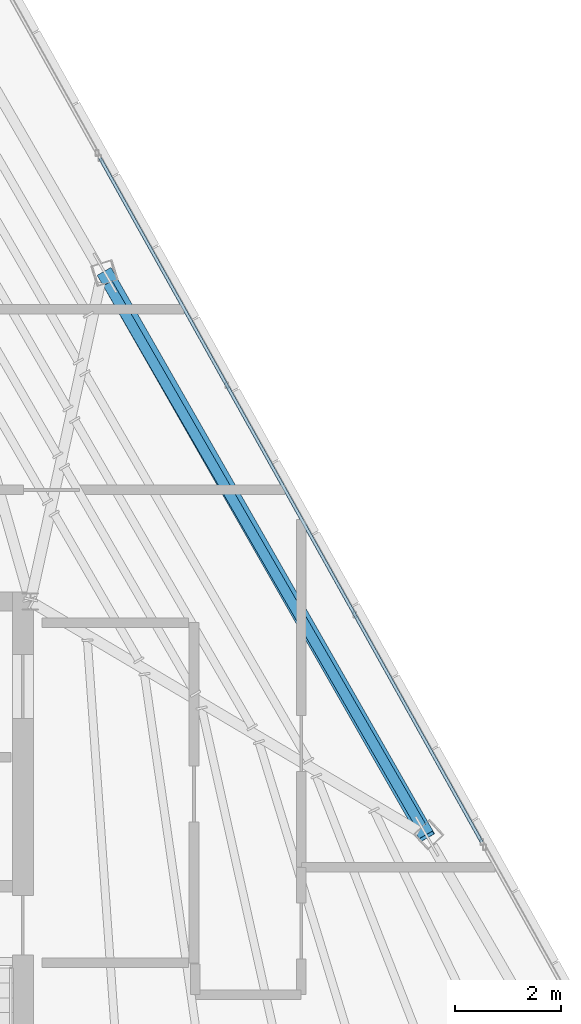
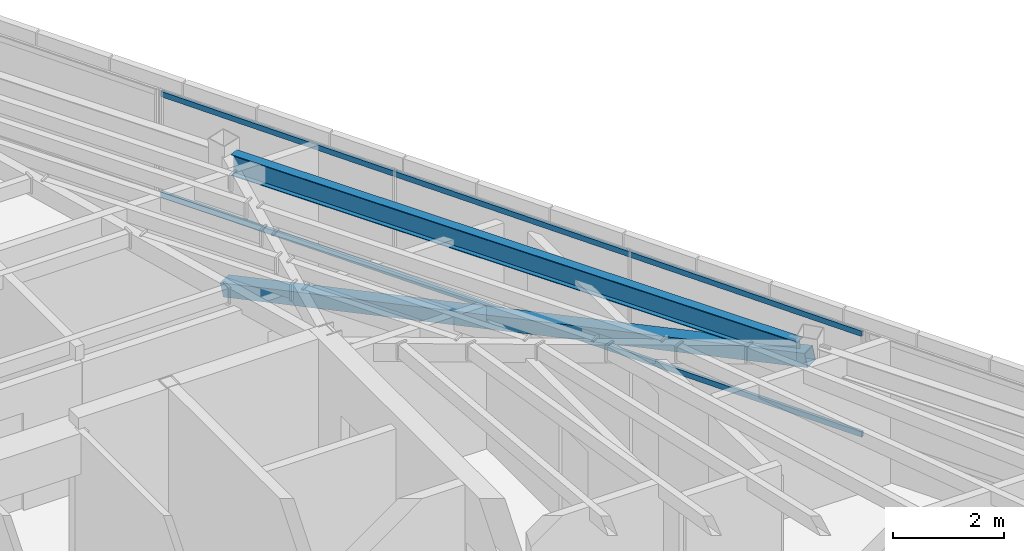
# One storey, part 29 of 48: 3 members, 1 beam, 1 element without a shape of its own.
"""IFC4 building model written with IfcOpenShell, lengths in metres."""

from ifc_helpers import new_model, si_unit, direction, frame, origin, origin_2d, place, context, subcontext, project, spatial, hollow_rectangle, i_section, extrude, source, transform, mapped, material, material_profile, profile_set, type_object, type_shapes, element, aggregate, save


model = new_model("IFC4")

# Units and contexts
model_context = context("Model", 3, precision=1e-05, world=origin(), true_north=direction((0.0, 1.0)))
body_context = subcontext(model_context, "Body", "Model", "MODEL_VIEW")
ifc_project = project(units=[si_unit("LENGTHUNIT", "METRE"), si_unit("AREAUNIT", "SQUARE_METRE"), si_unit("VOLUMEUNIT", "CUBIC_METRE"), si_unit("PLANEANGLEUNIT", "RADIAN"), si_unit("MASSUNIT", "GRAM", prefix="KILO")], contexts=[model_context])

# Site, building, storey
site_placement = place(None, origin())
site = spatial("IfcSite", under=ifc_project, at=site_placement, CompositionType="ELEMENT")
building_placement = place(site_placement, origin())
building = spatial("IfcBuilding", under=site, at=building_placement, Name="Caelisora Broadcast Tower", CompositionType="ELEMENT")
storey_placement = place(building_placement, frame((0.0, 0.0, 300.0)))
storey = spatial("IfcBuildingStorey", under=building, at=storey_placement, Name="L79", CompositionType="ELEMENT", Elevation=300.0)

# Beam
ifc_material_1 = material(Name="Steel Grade 350 (AS/NZS 3679.1)", Category="steel")
ifc_material_profile_1 = material_profile(ifc_material_1, i_section(OverallWidth=0.19091796875, OverallDepth=0.46044921875, WebThickness=0.010009765625, FlangeThickness=0.01611328125, at=origin_2d()), Name="Steel Grade 350 (AS/NZS 3679.1)")
ifc_profile_set_1 = profile_set([ifc_material_profile_1], Name="Steel Grade 350 (AS/NZS 3679.1)")
beam_type = type_object("IfcBeamType", Name="PG06", PredefinedType="BEAM", material=ifc_profile_set_1)
shared_shape_1 = source(origin(), body_context, "Body", "SweptSolid", [
    extrude(i_section(OverallWidth=0.19091796875, OverallDepth=0.46044921875, WebThickness=0.010009765625, FlangeThickness=0.01611328125, at=origin_2d()), origin(), (0.0, 0.0, 1.0), 11.809326171875),
])
type_shapes(beam_type, [shared_shape_1])
beam_placement = place(storey_placement, frame((52.860107421875, 25.76123046875, 2.919921875), z_axis=(-0.499987904007, 0.866032387297, 0.0), x_axis=(-0.866032387297, -0.499987904007, 0.0)))
element("IfcBeam", 1, at=beam_placement, inside=storey, type_object=beam_type, Name="L79 beam PG06", PredefinedType="BEAM", context=body_context, shape_type="MappedRepresentation", body=[
    mapped(shared_shape_1, transform((0.0, 0.0, 0.0), scale=1.0)),
])

# Member
ifc_material_2 = material(Name="Steel Grade 450 (AS/NZS 1163 C450L0)", Category="steel")
ifc_material_profile_2 = material_profile(ifc_material_2, hollow_rectangle(XDim=0.300048828125, YDim=0.300048828125, WallThickness=0.012451171875, at=origin_2d()), Name="Steel Grade 450 (AS/NZS 1163 C450L0)")
ifc_profile_set_2 = profile_set([ifc_material_profile_2], Name="Steel Grade 450 (AS/NZS 1163 C450L0)")
member_type_1 = type_object("IfcMemberType", Name="BR06", PredefinedType="BRACE", material=ifc_profile_set_2)
shared_shape_2 = source(origin(), body_context, "Body", "SweptSolid", [
    extrude(hollow_rectangle(XDim=0.300048828125, YDim=0.300048828125, WallThickness=0.012451171875, at=origin_2d()), origin(), (0.0, 0.0, 1.0), 12.518798828125),
])
type_shapes(member_type_1, [shared_shape_2])
member_1_placement = place(storey_placement, frame((52.964111328125, 25.581298828125, 2.85009765625), z_axis=(-0.484014302338, 0.847039655414, -0.219667879509), x_axis=(-0.868246832567, -0.496132480027, 0.0)))
element("IfcMember", 2, at=member_1_placement, inside=storey, type_object=member_type_1, Name="L79 perimeter brace BR06", PredefinedType="BRACE", context=body_context, shape_type="MappedRepresentation", body=[
    mapped(shared_shape_2, transform((0.0, 0.0, 0.0), scale=1.0)),
])

# Curtain wall, members
ifc_material_3 = material(Name="Unitised Aluminium Insulated Shadow-Box Spandrel Curtain Wall", Category="aluminium")
curtain_wall_type = type_object("IfcCurtainWallType", Name="CW-SP3", PredefinedType="NOTDEFINED", material=ifc_material_3)
curtain_wall_placement = place(storey_placement, origin())
curtain_wall = element("IfcCurtainWall", 3, at=curtain_wall_placement, inside=storey, type_object=curtain_wall_type, Name="L79 curtain wall CW-SP3", PredefinedType="NOTDEFINED")
ifc_material_4 = material(Name="Aluminium 6063-T6 Anodised Terracotta Bronze", Category="aluminium")
ifc_material_profile_3 = material_profile(ifc_material_4, hollow_rectangle(XDim=0.06005859375, YDim=0.1201171875, WallThickness=0.0029296875, at=origin_2d()), Name="Aluminium 6063-T6 Anodised Terracotta Bronze")
ifc_profile_set_3 = profile_set([ifc_material_profile_3], Name="Aluminium 6063-T6 Anodised Terracotta Bronze")
member_type_2 = type_object("IfcMemberType", Name="CWT-03", PredefinedType="USERDEFINED", material=ifc_profile_set_3)
shared_shape_3 = source(origin(), body_context, "Body", "SweptSolid", [
    extrude(hollow_rectangle(XDim=0.06005859375, YDim=0.1201171875, WallThickness=0.0029296875, at=origin_2d()), origin(), (0.0, 0.0, 1.0), 14.747314453125),
])
type_shapes(member_type_2, [shared_shape_3])
member_2_placement = place(storey_placement, frame((46.80908203125, 38.349365234375, 0.85009765625), z_axis=(0.487325942341, -0.873220147455, 0.0), x_axis=(0.873220147455, 0.487325942341, 0.0)))
member_2 = element("IfcMember", 4, at=member_2_placement, type_object=member_type_2, Name="L79-CW-B02 transom #1", ObjectType="TRANSOM", PredefinedType="USERDEFINED", context=body_context, shape_type="MappedRepresentation", body=[
    mapped(shared_shape_3, transform((0.0, 0.0, 0.0), scale=1.0)),
])
member_3_placement = place(storey_placement, frame((46.80908203125, 38.349365234375, 3.070068359375), z_axis=(0.487325942341, -0.873220147455, 0.0), x_axis=(0.873220147455, 0.487325942341, 0.0)))
member_3 = element("IfcMember", 5, at=member_3_placement, type_object=member_type_2, Name="L79-CW-B02 transom #2", ObjectType="TRANSOM", PredefinedType="USERDEFINED", context=body_context, shape_type="MappedRepresentation", body=[
    mapped(shared_shape_3, transform((0.0, 0.0, 0.0), scale=1.0)),
])
aggregate(curtain_wall, [member_2, member_3])

save(model, "model.ifc")
